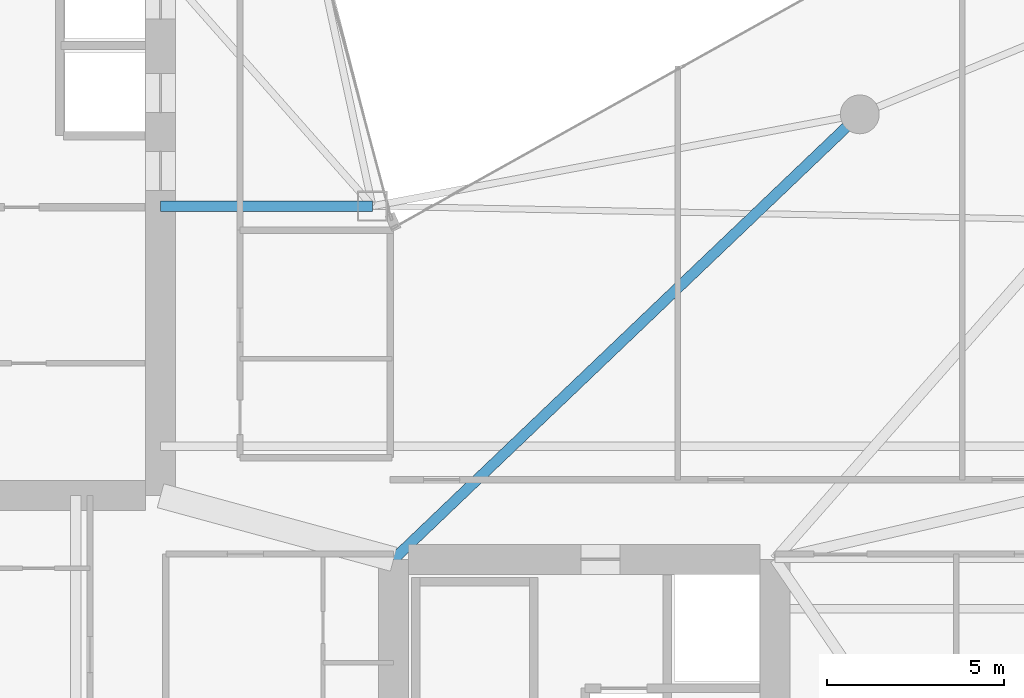
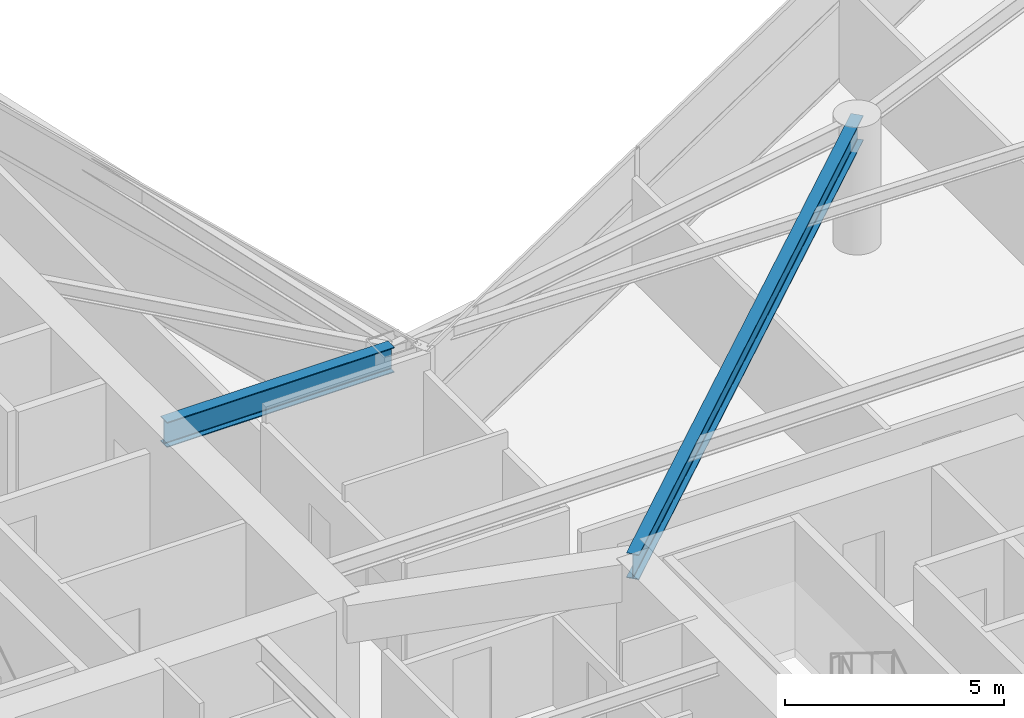
# One storey, part 9 of 29: 2 beams.
"""IFC4 building model written with IfcOpenShell, lengths in metres."""

import ifcopenshell
import ifcopenshell.guid

model = None  # the IFC model being written
_history = None  # IfcOwnerHistory: only IFC2X3 demands one
_inside = {}  # id of a spatial element -> (the spatial element, [elements in it])
_under = {}  # id of a project, library or spatial element -> (it, [spatial elements below it])
_declared = {}  # id of a project -> (the project, [libraries it declares])
_typed = {}  # id of a type object -> (the type object, [elements of that type])
_made_of = {}  # id of a material, layer set ... -> (it, [elements and type objects made of it])


def new_model(schema):
    """Start an empty IFC model of exactly this schema.

    Asked for "IFC4X3", IfcOpenShell would pick the latest addendum, in which some entities
    have other attributes; the version numbers below select the first issue.
    IFC2X3 requires an IfcOwnerHistory on every rooted entity: one is made here for all.
    """
    global model, _history
    if schema == "IFC4X3":
        model = ifcopenshell.file(schema_version=(4, 3, 0, 0))
    else:
        model = ifcopenshell.file(schema=schema)
    _inside.clear()
    _under.clear()
    _declared.clear()
    _typed.clear()
    _made_of.clear()
    _history = None
    if model.schema == "IFC2X3":
        org = make("IfcOrganization", Name="unknown")
        user = make(
            "IfcPersonAndOrganization",
            ThePerson=make("IfcPerson", FamilyName="unknown"),
            TheOrganization=org,
        )
        app = make(
            "IfcApplication",
            ApplicationDeveloper=org,
            Version="unknown",
            ApplicationFullName="unknown",
            ApplicationIdentifier="unknown",
        )
        _history = make(
            "IfcOwnerHistory",
            OwningUser=user,
            OwningApplication=app,
            ChangeAction="ADDED",
            CreationDate=0,
        )
    return model


def make(cls, **values):
    """One entity of the class cls with the attributes given. An attribute that is None is left unset."""
    return model.create_entity(
        cls, **{name: value for name, value in values.items() if value is not None}
    )


def rooted(cls, **values):
    """An entity with a GlobalId (a new one), such as an element, a storey or a relation."""
    return make(cls, GlobalId=ifcopenshell.guid.new(), OwnerHistory=_history, **values)


def si_unit(unit_type, name, prefix=None):
    """IfcSIUnit, for example si_unit("LENGTHUNIT", "METRE", prefix="MILLI")."""
    return make("IfcSIUnit", UnitType=unit_type, Prefix=prefix, Name=name)


def assignment(units):
    """IfcUnitAssignment: the units of a project."""
    return None if units is None else make("IfcUnitAssignment", Units=units)


def point(xyz):
    """IfcCartesianPoint."""
    return None if xyz is None else make("IfcCartesianPoint", Coordinates=xyz)


def direction(xyz):
    """IfcDirection."""
    return None if xyz is None else make("IfcDirection", DirectionRatios=xyz)


def frame(location, z_axis=None, x_axis=None):
    """IfcAxis2Placement3D, a coordinate frame: its origin and axes. An axis left out is left unset."""
    return make(
        "IfcAxis2Placement3D",
        Location=point(location),
        Axis=direction(z_axis),
        RefDirection=direction(x_axis),
    )


def frame_2d(location, x_axis=None):
    """IfcAxis2Placement2D, a coordinate frame in the plane: its origin and x axis."""
    return make(
        "IfcAxis2Placement2D", Location=point(location), RefDirection=direction(x_axis)
    )


def origin():
    """The frame at (0, 0, 0) with its axes left unset."""
    return frame((0.0, 0.0, 0.0))


def origin_2d():
    """The frame at (0, 0) in the plane with its x axis left unset."""
    return frame_2d((0.0, 0.0))


def place(relative_to, where):
    """IfcLocalPlacement: puts the frame where relative to a parent placement (None: the world)."""
    return make(
        "IfcLocalPlacement", PlacementRelTo=relative_to, RelativePlacement=where
    )


def context(
    kind, dimensions, precision=None, world=None, true_north=None, identifier=None
):
    """IfcGeometricRepresentationContext, for example the 3D "Model" context."""
    return make(
        "IfcGeometricRepresentationContext",
        ContextIdentifier=identifier,
        ContextType=kind,
        CoordinateSpaceDimension=dimensions,
        Precision=precision,
        WorldCoordinateSystem=world,
        TrueNorth=true_north,
    )


def subcontext(parent, identifier, kind, view, scale=None):
    """IfcGeometricRepresentationSubContext, for example "Body" below "Model"."""
    return make(
        "IfcGeometricRepresentationSubContext",
        ContextIdentifier=identifier,
        ContextType=kind,
        ParentContext=parent,
        TargetScale=scale,
        TargetView=view,
    )


def project(units=None, contexts=None):
    """IfcProject with its units and contexts."""
    return rooted(
        "IfcProject",
        Name="project",
        RepresentationContexts=contexts,
        UnitsInContext=assignment(units),
    )


def spatial(cls, under=None, at=None, **own):
    """A site, building, storey or space (cls), placed at a placement, below another one or the project."""
    s = rooted(cls, ObjectPlacement=at, **own)
    if under is not None:
        _under.setdefault(under.id(), (under, []))[1].append(s)
    return s


def profile(cls, at=None, kind="AREA", **sizes):
    """A parametric profile (cls). Its sizes go by their IFC names, for example OverallWidth=200.0."""
    return make(cls, ProfileType=kind, Position=at, **sizes)


def i_section(**sizes):
    """IfcIShapeProfileDef."""
    return profile("IfcIShapeProfileDef", **sizes)


def extrude(swept, where, along, depth):
    """IfcExtrudedAreaSolid: the profile swept, set in the frame where, extruded along a direction by depth."""
    return make(
        "IfcExtrudedAreaSolid",
        SweptArea=swept,
        Position=where,
        ExtrudedDirection=direction(along),
        Depth=depth,
    )


def shape(context_of_items, identifier, shape_type, items):
    """IfcShapeRepresentation: the items that make up one representation, for example the "Body"."""
    return make(
        "IfcShapeRepresentation",
        ContextOfItems=context_of_items,
        RepresentationIdentifier=identifier,
        RepresentationType=shape_type,
        Items=items,
    )


def material(Name=None, Category=None):
    """IfcMaterial."""
    return make("IfcMaterial", Name=Name, Category=Category)


def material_profile(
    of_material, cross_section, Name=None, Category=None, Priority=None
):
    """IfcMaterialProfile: a cross section and its material."""
    return make(
        "IfcMaterialProfile",
        Name=Name,
        Material=of_material,
        Profile=cross_section,
        Priority=Priority,
        Category=Category,
    )


def profile_set(profiles, Name=None, composite=None):
    """IfcMaterialProfileSet."""
    return make(
        "IfcMaterialProfileSet",
        Name=Name,
        MaterialProfiles=profiles,
        CompositeProfile=composite,
    )


def made_of(thing, what):
    """Note that an element or type object is made of a material, layer set ...; save() writes the relation."""
    if what is not None:
        _made_of.setdefault(what.id(), (what, []))[1].append(thing)
    return thing


def type_object(cls, material=None, **own):
    """A type object (cls), such as IfcWallType, which elements share."""
    return made_of(rooted(cls, **own), material)


def element(
    cls,
    number,
    at=None,
    inside=None,
    cuts=None,
    type_object=None,
    material=None,
    context=None,
    identifier="Body",
    shape_type=None,
    held_by="IfcProductDefinitionShape",
    body=None,
    shapes=None,
    **own,
):
    """One element of the class cls, such as IfcWall. Its Tag is "e" and its number.

    at: its placement. inside: the storey or other place that contains it. cuts: it is an
    opening in that element (IfcRelVoidsElement). A single representation is given by context,
    identifier, shape_type and body (its items); several are given by shapes. held_by: the class
    of the entity that holds the representations. save() writes the other relations.
    """
    e = rooted(cls, Tag="e%d" % number, ObjectPlacement=at, **own)
    if body is not None:
        shapes = [shape(context, identifier, shape_type, body)]
    if shapes is not None:
        e.Representation = make(held_by, Representations=shapes)
    if inside is not None:
        _inside.setdefault(inside.id(), (inside, []))[1].append(e)
    if cuts is not None:
        rooted(
            "IfcRelVoidsElement", RelatingBuildingElement=cuts, RelatedOpeningElement=e
        )
    if type_object is not None:
        _typed.setdefault(type_object.id(), (type_object, []))[1].append(e)
    return made_of(e, material)


def aggregate(whole, parts):
    """IfcRelAggregates: a whole, such as a stair, and the parts it consists of."""
    return rooted("IfcRelAggregates", RelatingObject=whole, RelatedObjects=parts)


def save(model, path):
    """Write the relations noted so far, then the file.

    IfcRelAggregates (storeys below a building ...), IfcRelContainedInSpatialStructure (elements
    in a storey), IfcRelDefinesByType, IfcRelAssociatesMaterial and IfcRelDeclares: one each for
    every whole, place, type object, material and project.
    """
    for whole, parts in _under.values():
        aggregate(whole, parts)
    for where, things in _inside.values():
        rooted(
            "IfcRelContainedInSpatialStructure",
            RelatedElements=things,
            RelatingStructure=where,
        )
    for kind, things in _typed.values():
        rooted("IfcRelDefinesByType", RelatedObjects=things, RelatingType=kind)
    for what, things in _made_of.values():
        rooted("IfcRelAssociatesMaterial", RelatedObjects=things, RelatingMaterial=what)
    for by, libraries in _declared.values():
        rooted("IfcRelDeclares", RelatingContext=by, RelatedDefinitions=libraries)
    model.write(path)


model = new_model("IFC4")

# Units and contexts
model_context = context("Model", 3, precision=1e-05, world=origin(), true_north=direction((0.0, 1.0)))
body_context = subcontext(model_context, "Body", "Model", "MODEL_VIEW")
ifc_project = project(units=[si_unit("LENGTHUNIT", "METRE"), si_unit("AREAUNIT", "SQUARE_METRE"), si_unit("VOLUMEUNIT", "CUBIC_METRE"), si_unit("PLANEANGLEUNIT", "RADIAN"), si_unit("MASSUNIT", "GRAM", prefix="KILO")], contexts=[model_context])

# Site, building, storey
site_placement = place(None, origin())
site = spatial("IfcSite", under=ifc_project, at=site_placement, CompositionType="ELEMENT")
building_placement = place(site_placement, origin())
building = spatial("IfcBuilding", under=site, at=building_placement, Name="Calvorn Quay Hotel", CompositionType="ELEMENT")
storey_placement = place(building_placement, frame((0.0, 0.0, 124.0)))
storey = spatial("IfcBuildingStorey", under=building, at=storey_placement, Name="L30", CompositionType="ELEMENT", Elevation=124.0)

# Beams
ifc_material = material(Name="Steel Q390GJC", Category="steel")
ifc_material_profile = material_profile(ifc_material, i_section(OverallWidth=0.300048828125, OverallDepth=0.699951171875, WebThickness=0.012939453125, FlangeThickness=0.02392578125, FilletRadius=0.02392578125, at=origin_2d()), Name="HN700x300x13x24")
ifc_profile_set = profile_set([ifc_material_profile], Name="Steel Q390GJC")
beam_type = type_object("IfcBeamType", Name="BM-GIRD-MAIN", PredefinedType="BEAM", material=ifc_profile_set)
beam_1_placement = place(storey_placement, frame((21.0, 25.0, 3.18994140625), z_axis=(-1.0, 0.0, 0.0), x_axis=(0.0, -1.0, 0.0)))
element("IfcBeam", 1, at=beam_1_placement, inside=storey, type_object=beam_type, Name="Beam BG-L30-W7", PredefinedType="BEAM", context=body_context, shape_type="SweptSolid", body=[
    extrude(i_section(OverallWidth=0.300048828125, OverallDepth=0.699951171875, WebThickness=0.012939453125, FlangeThickness=0.02392578125, FilletRadius=0.02392578125, at=origin_2d()), origin(), (0.0, 0.0, 1.0), 6.0),
])
beam_2_placement = place(storey_placement, frame((21.60009765625, 15.0, 3.18994140625), z_axis=(0.723351595578, 0.690479883252, 0.0), x_axis=(-0.690479883252, 0.723351595578, 0.0)))
element("IfcBeam", 2, at=beam_2_placement, inside=storey, type_object=beam_type, Name="Beam BG-L30-E4", PredefinedType="BEAM", context=body_context, shape_type="SweptSolid", body=[
    extrude(i_section(OverallWidth=0.300048828125, OverallDepth=0.699951171875, WebThickness=0.012939453125, FlangeThickness=0.02392578125, FilletRadius=0.02392578125, at=origin_2d()), origin(), (0.0, 0.0, 1.0), 18.248291015625),
])

save(model, "model.ifc")
